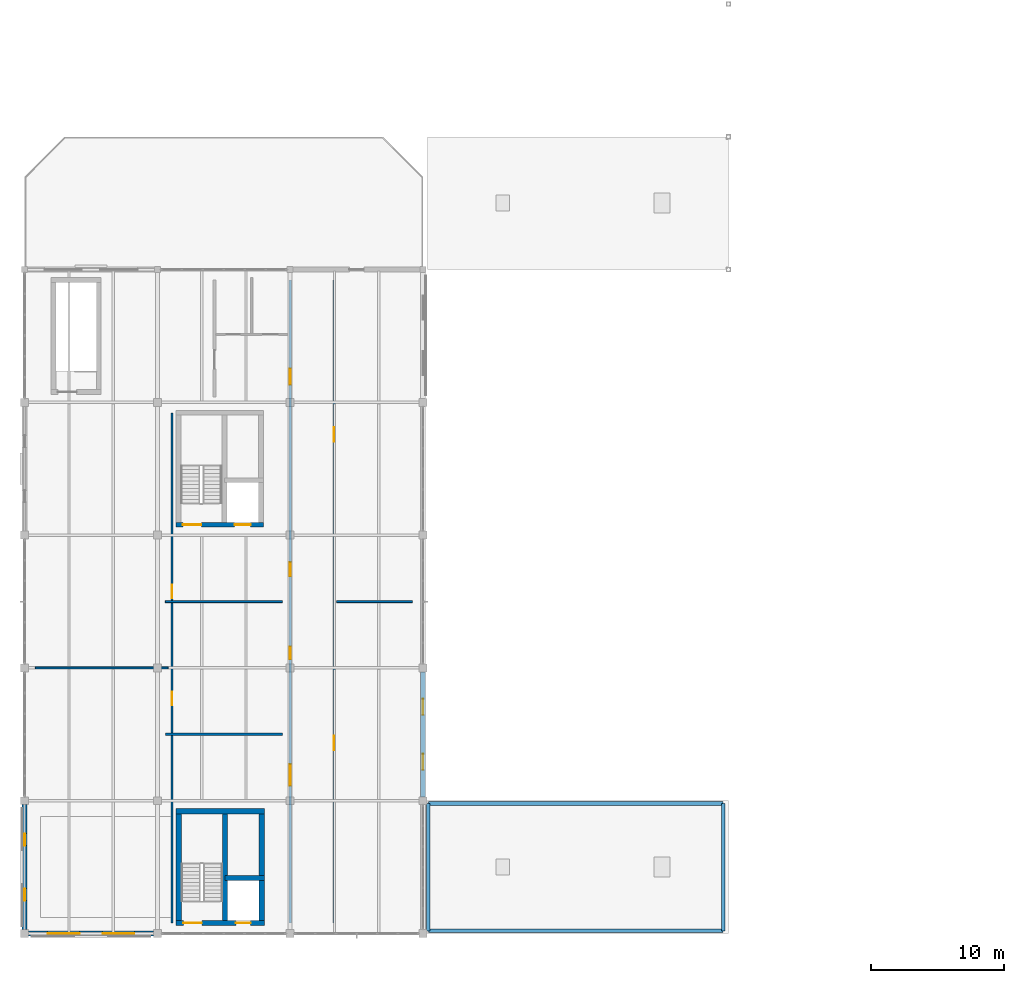
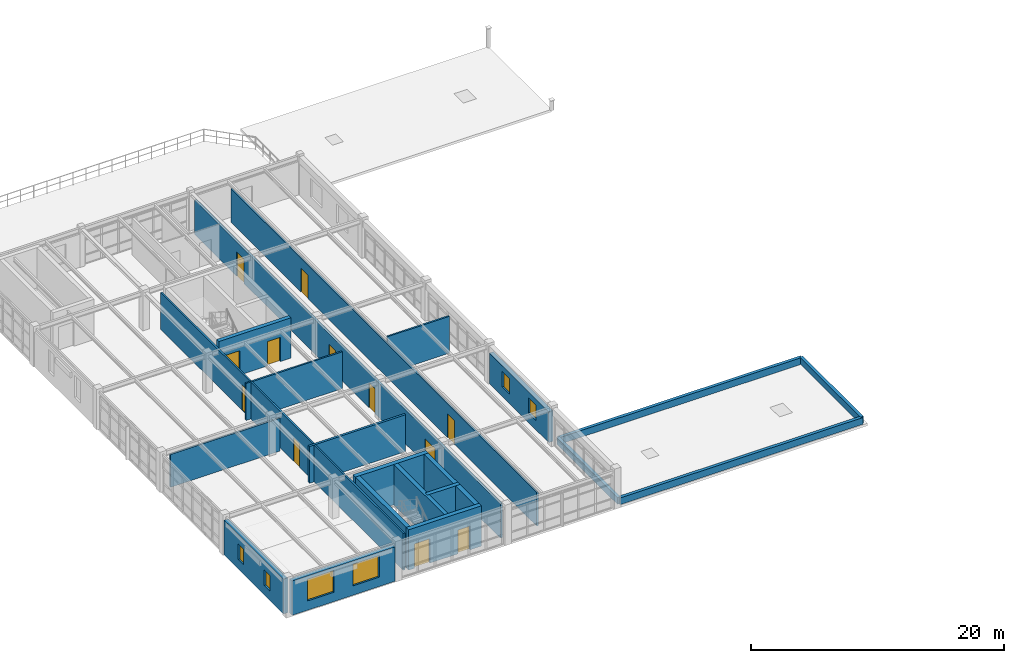
# One storey, part 19 of 23: 21 walls, 12 doors, 6 windows, 18 openings.
"""IFC4 building model written with IfcOpenShell, lengths in metres."""

from ifc_helpers import new_model, si_unit, direction, frame, frame_2d, origin, place, context, subcontext, project, spatial, rectangle, extrude, material, layer, layer_set, type_object, element, fill, save


model = new_model("IFC4")

# Units and contexts
model_context = context("Model", 3, precision=1e-05, world=origin(), true_north=direction((0.0, 1.0)))
body_context = subcontext(model_context, "Body", "Model", "MODEL_VIEW")
ifc_project = project(units=[si_unit("LENGTHUNIT", "METRE"), si_unit("AREAUNIT", "SQUARE_METRE"), si_unit("VOLUMEUNIT", "CUBIC_METRE"), si_unit("PLANEANGLEUNIT", "RADIAN"), si_unit("MASSUNIT", "GRAM", prefix="KILO"), si_unit("THERMODYNAMICTEMPERATUREUNIT", "KELVIN"), si_unit("POWERUNIT", "WATT")], contexts=[model_context])

# Site, building, storey
site_placement = place(None, origin())
site = spatial("IfcSite", under=ifc_project, at=site_placement, CompositionType="ELEMENT")
building_placement = place(site_placement, origin())
building = spatial("IfcBuilding", under=site, at=building_placement, Name="Korenveer Ferry Terminal", CompositionType="ELEMENT")
storey_placement = place(building_placement, frame((0.0, 0.0, 14.39990234375)))
storey = spatial("IfcBuildingStorey", under=building, at=storey_placement, Name="L03", CompositionType="ELEMENT", Elevation=14.39990234375)

# Wall, openings, windows
ifc_material_1 = material(Name="Insulated clinker brick masonry", Category="masonry")
ifc_layer_1 = layer(ifc_material_1, 0.3798828125)
ifc_layer_set_1 = layer_set([ifc_layer_1], Name="Insulated clinker brick masonry")
wall_type_1 = type_object("IfcWallType", Name="ENV-WL-BRK380", PredefinedType="SOLIDWALL", material=ifc_layer_set_1)
wall_1_placement = place(storey_placement, frame((0.300048828125, 20.0, 0.0), z_axis=(0.0, 0.0, 1.0), x_axis=(1.0, 0.0, 0.0)))
wall_1 = element("IfcWall", 1, at=wall_1_placement, inside=storey, type_object=wall_type_1, Name="Exterior facade wall EWL-L03-067", PredefinedType="SOLIDWALL", context=body_context, shape_type="SweptSolid", body=[
    extrude(rectangle(XDim=9.39990234375, YDim=0.3798828125, at=frame_2d((4.699951171875, 0.0))), origin(), (0.0, 0.0, 1.0), 3.320068359375),
])
opening_1_placement = place(wall_1_placement, frame((1.431884765625, 0.0, 0.89990234375)))
opening_1 = element("IfcOpeningElement", 2, at=opening_1_placement, cuts=wall_1, Name="Opening WN-31", PredefinedType="OPENING", context=body_context, shape_type="SweptSolid", body=[
    extrude(rectangle(XDim=2.39990234375, YDim=2.10009765625, at=frame_2d((1.199951171875, 1.050048828125))), frame((0.0, 0.199951171875, 0.0), z_axis=(0.0, -1.0, 0.0), x_axis=(1.0, 0.0, 0.0)), (0.0, 0.0, 1.0), 0.39990234375),
])
opening_2_placement = place(wall_1_placement, frame((5.568115234375, 0.0, 0.89990234375)))
opening_2 = element("IfcOpeningElement", 3, at=opening_2_placement, cuts=wall_1, Name="Opening WN-31", PredefinedType="OPENING", context=body_context, shape_type="SweptSolid", body=[
    extrude(rectangle(XDim=2.39990234375, YDim=2.10009765625, at=frame_2d((1.199951171875, 1.050048828125))), frame((0.0, 0.199951171875, 0.0), z_axis=(0.0, -1.0, 0.0), x_axis=(1.0, 0.0, 0.0)), (0.0, 0.0, 1.0), 0.39990234375),
])
ifc_material_2 = material(Name="Low-iron triple glazing in bronze frame", Category="glass")
window_type_1 = type_object("IfcWindowType", Name="ENV-WN-31", PartitioningType="SINGLE_PANEL", PredefinedType="WINDOW", material=ifc_material_2)
window_1_placement = place(opening_1_placement, origin())
window_1 = element("IfcWindow", 4, at=window_1_placement, inside=storey, type_object=window_type_1, Name="Lancet facade window 81", OverallHeight=2.10009765625, OverallWidth=2.39990234375, PartitioningType="SINGLE_PANEL", PredefinedType="WINDOW", context=body_context, shape_type="SweptSolid", body=[
    extrude(rectangle(XDim=2.39990234375, YDim=2.10009765625, at=frame_2d((1.199951171875, 1.050048828125))), frame((0.0, 0.030029296875, 0.0), z_axis=(0.0, -1.0, 0.0), x_axis=(1.0, 0.0, 0.0)), (0.0, 0.0, 1.0), 0.06005859375),
])
fill(opening_1, window_1)
window_2_placement = place(opening_2_placement, origin())
window_2 = element("IfcWindow", 5, at=window_2_placement, inside=storey, type_object=window_type_1, Name="Lancet facade window 82", OverallHeight=2.10009765625, OverallWidth=2.39990234375, PartitioningType="SINGLE_PANEL", PredefinedType="WINDOW", context=body_context, shape_type="SweptSolid", body=[
    extrude(rectangle(XDim=2.39990234375, YDim=2.10009765625, at=frame_2d((1.199951171875, 1.050048828125))), frame((0.0, 0.030029296875, 0.0), z_axis=(0.0, -1.0, 0.0), x_axis=(1.0, 0.0, 0.0)), (0.0, 0.0, 1.0), 0.06005859375),
])
fill(opening_2, window_2)

wall_2_placement = place(storey_placement, frame((0.0, 20.300048828125, 0.0), z_axis=(0.0, 0.0, 1.0), x_axis=(0.0, 1.0, 0.0)))
wall_2 = element("IfcWall", 6, at=wall_2_placement, inside=storey, type_object=wall_type_1, Name="Exterior facade wall EWL-L03-070", PredefinedType="SOLIDWALL", context=body_context, shape_type="SweptSolid", body=[
    extrude(rectangle(XDim=9.39990234375, YDim=0.3798828125, at=frame_2d((4.699951171875, 0.0))), origin(), (0.0, 0.0, 1.0), 3.3701171875),
])
opening_3_placement = place(wall_2_placement, frame((2.181884765625, 0.0, 0.89990234375)))
opening_3 = element("IfcOpeningElement", 7, at=opening_3_placement, cuts=wall_2, Name="Opening WN-01", PredefinedType="OPENING", context=body_context, shape_type="SweptSolid", body=[
    extrude(rectangle(XDim=0.89990234375, YDim=1.5, at=frame_2d((0.449951171875, 0.75))), frame((0.0, 0.199951171875, 0.0), z_axis=(0.0, -1.0, 0.0), x_axis=(1.0, 0.0, 0.0)), (0.0, 0.0, 1.0), 0.39990234375),
])
opening_4_placement = place(wall_2_placement, frame((6.318115234375, 0.0, 0.89990234375)))
opening_4 = element("IfcOpeningElement", 8, at=opening_4_placement, cuts=wall_2, Name="Opening WN-01", PredefinedType="OPENING", context=body_context, shape_type="SweptSolid", body=[
    extrude(rectangle(XDim=0.89990234375, YDim=1.5, at=frame_2d((0.449951171875, 0.75))), frame((0.0, 0.199951171875, 0.0), z_axis=(0.0, -1.0, 0.0), x_axis=(1.0, 0.0, 0.0)), (0.0, 0.0, 1.0), 0.39990234375),
])
window_type_2 = type_object("IfcWindowType", Name="ENV-WN-01", PartitioningType="SINGLE_PANEL", PredefinedType="WINDOW", material=ifc_material_2)
window_3_placement = place(opening_3_placement, origin())
window_3 = element("IfcWindow", 9, at=window_3_placement, inside=storey, type_object=window_type_2, Name="Lancet facade window 85", OverallHeight=1.5, OverallWidth=0.89990234375, PartitioningType="SINGLE_PANEL", PredefinedType="WINDOW", context=body_context, shape_type="SweptSolid", body=[
    extrude(rectangle(XDim=0.89990234375, YDim=1.5, at=frame_2d((0.449951171875, 0.75))), frame((0.0, 0.030029296875, 0.0), z_axis=(0.0, -1.0, 0.0), x_axis=(1.0, 0.0, 0.0)), (0.0, 0.0, 1.0), 0.06005859375),
])
fill(opening_3, window_3)
window_4_placement = place(opening_4_placement, origin())
window_4 = element("IfcWindow", 10, at=window_4_placement, inside=storey, type_object=window_type_2, Name="Lancet facade window 86", OverallHeight=1.5, OverallWidth=0.89990234375, PartitioningType="SINGLE_PANEL", PredefinedType="WINDOW", context=body_context, shape_type="SweptSolid", body=[
    extrude(rectangle(XDim=0.89990234375, YDim=1.5, at=frame_2d((0.449951171875, 0.75))), frame((0.0, 0.030029296875, 0.0), z_axis=(0.0, -1.0, 0.0), x_axis=(1.0, 0.0, 0.0)), (0.0, 0.0, 1.0), 0.06005859375),
])
fill(opening_4, window_4)

wall_3_placement = place(storey_placement, frame((30.0, 39.699951171875, 0.0), z_axis=(0.0, 0.0, 1.0), x_axis=(0.0, -1.0, 0.0)))
wall_3 = element("IfcWall", 11, at=wall_3_placement, inside=storey, type_object=wall_type_1, Name="Exterior facade wall EWL-L03-072", PredefinedType="SOLIDWALL", context=body_context, shape_type="SweptSolid", body=[
    extrude(rectangle(XDim=9.39990234375, YDim=0.3798828125, at=frame_2d((4.699951171875, 0.0))), origin(), (0.0, 0.0, 1.0), 2.97021484375),
])
opening_5_placement = place(wall_3_placement, frame((2.031982421875, 0.0, 0.89990234375)))
opening_5 = element("IfcOpeningElement", 12, at=opening_5_placement, cuts=wall_3, Name="Opening WN-05", PredefinedType="OPENING", context=body_context, shape_type="SweptSolid", body=[
    extrude(rectangle(XDim=1.199951171875, YDim=1.5, at=frame_2d((0.60009765625, 0.75))), frame((0.0, 0.199951171875, 0.0), z_axis=(0.0, -1.0, 0.0), x_axis=(1.0, 0.0, 0.0)), (0.0, 0.0, 1.0), 0.39990234375),
])
opening_6_placement = place(wall_3_placement, frame((6.16796875, 0.0, 0.89990234375)))
opening_6 = element("IfcOpeningElement", 13, at=opening_6_placement, cuts=wall_3, Name="Opening WN-05", PredefinedType="OPENING", context=body_context, shape_type="SweptSolid", body=[
    extrude(rectangle(XDim=1.199951171875, YDim=1.5, at=frame_2d((0.60009765625, 0.75))), frame((0.0, 0.199951171875, 0.0), z_axis=(0.0, -1.0, 0.0), x_axis=(1.0, 0.0, 0.0)), (0.0, 0.0, 1.0), 0.39990234375),
])
window_type_3 = type_object("IfcWindowType", Name="ENV-WN-05", PartitioningType="SINGLE_PANEL", PredefinedType="WINDOW", material=ifc_material_2)
window_5_placement = place(opening_5_placement, origin())
window_5 = element("IfcWindow", 14, at=window_5_placement, inside=storey, type_object=window_type_3, Name="Lancet facade window 89", OverallHeight=1.5, OverallWidth=1.199951171875, PartitioningType="SINGLE_PANEL", PredefinedType="WINDOW", context=body_context, shape_type="SweptSolid", body=[
    extrude(rectangle(XDim=1.199951171875, YDim=1.5, at=frame_2d((0.60009765625, 0.75))), frame((0.0, 0.030029296875, 0.0), z_axis=(0.0, -1.0, 0.0), x_axis=(1.0, 0.0, 0.0)), (0.0, 0.0, 1.0), 0.06005859375),
])
fill(opening_5, window_5)
window_6_placement = place(opening_6_placement, origin())
window_6 = element("IfcWindow", 15, at=window_6_placement, inside=storey, type_object=window_type_3, Name="Lancet facade window 90", OverallHeight=1.5, OverallWidth=1.199951171875, PartitioningType="SINGLE_PANEL", PredefinedType="WINDOW", context=body_context, shape_type="SweptSolid", body=[
    extrude(rectangle(XDim=1.199951171875, YDim=1.5, at=frame_2d((0.60009765625, 0.75))), frame((0.0, 0.030029296875, 0.0), z_axis=(0.0, -1.0, 0.0), x_axis=(1.0, 0.0, 0.0)), (0.0, 0.0, 1.0), 0.06005859375),
])
fill(opening_6, window_6)

# Walls
ifc_material_3 = material(Name="Precast concrete C40/50", Category="concrete")
ifc_layer_2 = layer(ifc_material_3, 0.280029296875)
ifc_layer_set_2 = layer_set([ifc_layer_2], Name="Precast concrete C40/50")
wall_type_2 = type_object("IfcWallType", Name="ENV-WL-PAR280", PredefinedType="PARAPET", material=ifc_layer_set_2)
wall_4_placement = place(storey_placement, frame((30.39990234375, 20.199951171875, 0.0), z_axis=(0.0, 0.0, 1.0), x_axis=(1.0, 0.0, 0.0)))
element("IfcWall", 16, at=wall_4_placement, inside=storey, type_object=wall_type_2, Name="Maintenance roof parapet 1", PredefinedType="PARAPET", context=body_context, shape_type="SweptSolid", body=[
    extrude(rectangle(XDim=22.2001953125, YDim=0.280029296875, at=frame_2d((11.10009765625, 0.0))), origin(), (0.0, 0.0, 1.0), 0.650146484375),
])
wall_5_placement = place(storey_placement, frame((52.60009765625, 20.199951171875, 0.0), z_axis=(0.0, 0.0, 1.0), x_axis=(0.0, 1.0, 0.0)))
element("IfcWall", 17, at=wall_5_placement, inside=storey, type_object=wall_type_2, Name="Maintenance roof parapet 2", PredefinedType="PARAPET", context=body_context, shape_type="SweptSolid", body=[
    extrude(rectangle(XDim=9.60009765625, YDim=0.280029296875, at=frame_2d((4.800048828125, 0.0))), origin(), (0.0, 0.0, 1.0), 0.650146484375),
])
wall_6_placement = place(storey_placement, frame((52.60009765625, 29.800048828125, 0.0), z_axis=(0.0, 0.0, 1.0), x_axis=(-1.0, 0.0, 0.0)))
element("IfcWall", 18, at=wall_6_placement, inside=storey, type_object=wall_type_2, Name="Maintenance roof parapet 3", PredefinedType="PARAPET", context=body_context, shape_type="SweptSolid", body=[
    extrude(rectangle(XDim=22.2001953125, YDim=0.280029296875, at=frame_2d((11.10009765625, 0.0))), origin(), (0.0, 0.0, 1.0), 0.650146484375),
])
wall_7_placement = place(storey_placement, frame((30.39990234375, 29.800048828125, 0.0), z_axis=(0.0, 0.0, 1.0), x_axis=(0.0, -1.0, 0.0)))
element("IfcWall", 19, at=wall_7_placement, inside=storey, type_object=wall_type_2, Name="Maintenance roof parapet 4", PredefinedType="PARAPET", context=body_context, shape_type="SweptSolid", body=[
    extrude(rectangle(XDim=9.60009765625, YDim=0.280029296875, at=frame_2d((4.800048828125, 0.0))), origin(), (0.0, 0.0, 1.0), 0.650146484375),
])

# Wall, openings, doors
ifc_material_4 = material(Name="Acoustic fire-rated twin-stud partition", Category="other")
ifc_layer_3 = layer(ifc_material_4, 0.199951171875)
ifc_layer_set_3 = layer_set([ifc_layer_3], Name="Acoustic fire-rated twin-stud partition")
wall_type_3 = type_object("IfcWallType", Name="INT-WL-COMP200", PredefinedType="PARTITIONING", material=ifc_layer_set_3)
wall_8_placement = place(storey_placement, frame((20.0, 20.800048828125, 0.0), z_axis=(0.0, 0.0, 1.0), x_axis=(0.0, 1.0, 0.0)))
wall_8 = element("IfcWall", 20, at=wall_8_placement, inside=storey, type_object=wall_type_3, Name="Interior partition PWL-L03-049", PredefinedType="PARTITIONING", context=body_context, shape_type="SweptSolid", body=[
    extrude(rectangle(XDim=48.39990234375, YDim=0.199951171875, at=frame_2d((24.199951171875, 0.0))), origin(), (0.0, 0.0, 1.0), 3.330078125),
])
opening_7_placement = place(wall_8_placement, frame((10.33203125, 0.0, 0.0)))
opening_7 = element("IfcOpeningElement", 21, at=opening_7_placement, cuts=wall_8, Name="Opening ID-061", PredefinedType="OPENING", context=body_context, shape_type="SweptSolid", body=[
    extrude(rectangle(XDim=1.60009765625, YDim=2.39990234375, at=frame_2d((0.800048828125, 1.199951171875))), frame((0.0, 0.10986328125, 0.0), z_axis=(0.0, -1.0, 0.0), x_axis=(1.0, 0.0, 0.0)), (0.0, 0.0, 1.0), 0.219970703125),
])
opening_8_placement = place(wall_8_placement, frame((19.85302734375, 0.0, 0.0)))
opening_8 = element("IfcOpeningElement", 22, at=opening_8_placement, cuts=wall_8, Name="Opening ID-062", PredefinedType="OPENING", context=body_context, shape_type="SweptSolid", body=[
    extrude(rectangle(XDim=0.949951171875, YDim=2.39990234375, at=frame_2d((0.47509765625, 1.199951171875))), frame((0.0, 0.10986328125, 0.0), z_axis=(0.0, -1.0, 0.0), x_axis=(1.0, 0.0, 0.0)), (0.0, 0.0, 1.0), 0.219970703125),
])
opening_9_placement = place(wall_8_placement, frame((26.094970703125, 0.0, 0.0)))
opening_9 = element("IfcOpeningElement", 23, at=opening_9_placement, cuts=wall_8, Name="Opening ID-063", PredefinedType="OPENING", context=body_context, shape_type="SweptSolid", body=[
    extrude(rectangle(XDim=1.050048828125, YDim=2.300048828125, at=frame_2d((0.52490234375, 1.14990234375))), frame((0.0, 0.10986328125, 0.0), z_axis=(0.0, -1.0, 0.0), x_axis=(1.0, 0.0, 0.0)), (0.0, 0.0, 1.0), 0.219970703125),
])
opening_10_placement = place(wall_8_placement, frame((40.5400390625, 0.0, 0.0)))
opening_10 = element("IfcOpeningElement", 24, at=opening_10_placement, cuts=wall_8, Name="Opening ID-064", PredefinedType="OPENING", context=body_context, shape_type="SweptSolid", body=[
    extrude(rectangle(XDim=1.199951171875, YDim=2.35009765625, at=frame_2d((0.60009765625, 1.175048828125))), frame((0.0, 0.10986328125, 0.0), z_axis=(0.0, -1.0, 0.0), x_axis=(1.0, 0.0, 0.0)), (0.0, 0.0, 1.0), 0.219970703125),
])
ifc_material_5 = material(Name="Solid hardwood and steel acoustic door", Category="steel")
door_type_1 = type_object("IfcDoorType", Name="INT-DR-FFL160", OperationType="DOUBLE_DOOR_SINGLE_SWING", PredefinedType="DOOR", material=ifc_material_5)
door_1_placement = place(opening_7_placement, origin())
door_1 = element("IfcDoor", 25, at=door_1_placement, inside=storey, type_object=door_type_1, Name="L03 West Firefighting Lobby Door", OperationType="DOUBLE_DOOR_SINGLE_SWING", OverallHeight=2.39990234375, OverallWidth=1.60009765625, PredefinedType="DOOR", context=body_context, shape_type="SweptSolid", body=[
    extrude(rectangle(XDim=1.60009765625, YDim=2.39990234375, at=frame_2d((0.800048828125, 1.199951171875))), frame((0.0, 0.02490234375, 0.0), z_axis=(0.0, -1.0, 0.0), x_axis=(1.0, 0.0, 0.0)), (0.0, 0.0, 1.0), 0.050048828125),
])
fill(opening_7, door_1)
door_type_2 = type_object("IfcDoorType", Name="INT-DR-RM095B", OperationType="NOTDEFINED", PredefinedType="DOOR", material=ifc_material_5)
door_2_placement = place(opening_8_placement, origin())
door_2 = element("IfcDoor", 26, at=door_2_placement, inside=storey, type_object=door_type_2, Name="Crew Duty Rest Room Door", OperationType="SINGLE_SWING_RIGHT", OverallHeight=2.39990234375, OverallWidth=0.949951171875, PredefinedType="DOOR", context=body_context, shape_type="SweptSolid", body=[
    extrude(rectangle(XDim=0.949951171875, YDim=2.39990234375, at=frame_2d((0.47509765625, 1.199951171875))), frame((0.0, 0.02490234375, 0.0), z_axis=(0.0, -1.0, 0.0), x_axis=(1.0, 0.0, 0.0)), (0.0, 0.0, 1.0), 0.050048828125),
])
fill(opening_8, door_2)
door_type_3 = type_object("IfcDoorType", Name="INT-DR-RM105A", OperationType="NOTDEFINED", PredefinedType="DOOR", material=ifc_material_5)
door_3_placement = place(opening_9_placement, origin())
door_3 = element("IfcDoor", 27, at=door_3_placement, inside=storey, type_object=door_type_3, Name="Crew Briefing Lounge Door", OperationType="SINGLE_SWING_LEFT", OverallHeight=2.300048828125, OverallWidth=1.050048828125, PredefinedType="DOOR", context=body_context, shape_type="SweptSolid", body=[
    extrude(rectangle(XDim=1.050048828125, YDim=2.300048828125, at=frame_2d((0.52490234375, 1.14990234375))), frame((0.0, 0.02490234375, 0.0), z_axis=(0.0, -1.0, 0.0), x_axis=(1.0, 0.0, 0.0)), (0.0, 0.0, 1.0), 0.050048828125),
])
fill(opening_9, door_3)
door_type_4 = type_object("IfcDoorType", Name="INT-DR-RM120A", OperationType="NOTDEFINED", PredefinedType="DOOR", material=ifc_material_5)
door_4_placement = place(opening_10_placement, origin())
door_4 = element("IfcDoor", 28, at=door_4_placement, inside=storey, type_object=door_type_4, Name="Port Equipment Store Door", OperationType="SINGLE_SWING_RIGHT", OverallHeight=2.35009765625, OverallWidth=1.199951171875, PredefinedType="DOOR", context=body_context, shape_type="SweptSolid", body=[
    extrude(rectangle(XDim=1.199951171875, YDim=2.35009765625, at=frame_2d((0.60009765625, 1.175048828125))), frame((0.0, 0.02490234375, 0.0), z_axis=(0.0, -1.0, 0.0), x_axis=(1.0, 0.0, 0.0)), (0.0, 0.0, 1.0), 0.050048828125),
])
fill(opening_10, door_4)

# Walls
wall_9_placement = place(storey_placement, frame((10.60009765625, 35.0, 0.0), z_axis=(0.0, 0.0, 1.0), x_axis=(1.0, 0.0, 0.0)))
element("IfcWall", 29, at=wall_9_placement, inside=storey, type_object=wall_type_3, Name="Interior partition PWL-L03-054", PredefinedType="PARTITIONING", context=body_context, shape_type="SweptSolid", body=[
    extrude(rectangle(XDim=8.7998046875, YDim=0.199951171875, at=frame_2d((4.39990234375, 0.0))), origin(), (0.0, 0.0, 1.0), 3.56005859375),
])
ifc_material_6 = material(Name="Concrete C45/55", Category="concrete")
ifc_layer_4 = layer(ifc_material_6, 0.360107421875)
ifc_layer_set_4 = layer_set([ifc_layer_4], Name="Concrete C45/55")
wall_type_4 = type_object("IfcWallType", Name="INT-WL-CORE360", PredefinedType="SHEAR", material=ifc_layer_set_4)
wall_10_placement = place(storey_placement, frame((15.080078125, 20.60009765625, 0.0), z_axis=(0.0, 0.0, 1.0), x_axis=(0.0, 1.0, 0.0)))
element("IfcWall", 30, at=wall_10_placement, inside=storey, type_object=wall_type_4, Name="West Firefighting Core K1 shaft divider wall L03", PredefinedType="SHEAR", context=body_context, shape_type="SweptSolid", body=[
    extrude(rectangle(XDim=8.7998046875, YDim=0.360107421875, at=frame_2d((4.39990234375, 0.0))), origin(), (0.0, 0.0, 1.0), 3.900146484375),
])
wall_11_placement = place(storey_placement, frame((15.080078125, 24.179931640625, 0.0), z_axis=(0.0, 0.0, 1.0), x_axis=(1.0, 0.0, 0.0)))
element("IfcWall", 31, at=wall_11_placement, inside=storey, type_object=wall_type_4, Name="West Firefighting Core K1 lift shaft wall L03", PredefinedType="SHEAR", context=body_context, shape_type="SweptSolid", body=[
    extrude(rectangle(XDim=2.97998046875, YDim=0.360107421875, at=frame_2d((1.489990234375, 0.0))), origin(), (0.0, 0.0, 1.0), 3.900146484375),
])

# Wall, openings, doors
wall_12_placement = place(storey_placement, frame((11.39990234375, 50.780029296875, 0.0), z_axis=(0.0, 0.0, 1.0), x_axis=(1.0, 0.0, 0.0)))
wall_12 = element("IfcWall", 32, at=wall_12_placement, inside=storey, type_object=wall_type_4, Name="West Operations Core K2 south shear wall L03", PredefinedType="SHEAR", context=body_context, shape_type="SweptSolid", body=[
    extrude(rectangle(XDim=6.580078125, YDim=0.360107421875, at=frame_2d((3.2900390625, 0.0))), origin(), (0.0, 0.0, 1.0), 3.900146484375),
])
opening_11_placement = place(wall_12_placement, frame((0.510009765625, 0.0, 0.0)))
opening_11 = element("IfcOpeningElement", 33, at=opening_11_placement, cuts=wall_12, Name="Opening SD-09", PredefinedType="OPENING", context=body_context, shape_type="SweptSolid", body=[
    extrude(rectangle(XDim=1.39990234375, YDim=2.35009765625, at=frame_2d((0.699951171875, 1.175048828125))), frame((0.0, 0.18994140625, 0.0), z_axis=(0.0, -1.0, 0.0), x_axis=(1.0, 0.0, 0.0)), (0.0, 0.0, 1.0), 0.380126953125),
])
opening_12_placement = place(wall_12_placement, frame((4.419921875, 0.0, 0.0)))
opening_12 = element("IfcOpeningElement", 34, at=opening_12_placement, cuts=wall_12, Name="Opening LD-09", PredefinedType="OPENING", context=body_context, shape_type="SweptSolid", body=[
    extrude(rectangle(XDim=1.199951171875, YDim=2.35009765625, at=frame_2d((0.60009765625, 1.175048828125))), frame((0.0, 0.18994140625, 0.0), z_axis=(0.0, -1.0, 0.0), x_axis=(1.0, 0.0, 0.0)), (0.0, 0.0, 1.0), 0.380126953125),
])
door_type_5 = type_object("IfcDoorType", Name="INT-DR-LD120", OperationType="SLIDING_TO_LEFT", PredefinedType="DOOR", material=ifc_material_5)
door_5_placement = place(opening_12_placement, origin())
door_5 = element("IfcDoor", 35, at=door_5_placement, inside=storey, type_object=door_type_5, Name="Lift LP1 Sliding Landing Door L03", OperationType="SLIDING_TO_LEFT", OverallHeight=2.35009765625, OverallWidth=1.199951171875, PredefinedType="DOOR", context=body_context, shape_type="SweptSolid", body=[
    extrude(rectangle(XDim=1.199951171875, YDim=2.35009765625, at=frame_2d((0.60009765625, 1.175048828125))), frame((0.0, 0.02490234375, 0.0), z_axis=(0.0, -1.0, 0.0), x_axis=(1.0, 0.0, 0.0)), (0.0, 0.0, 1.0), 0.050048828125),
])
fill(opening_12, door_5)
door_type_6 = type_object("IfcDoorType", Name="INT-DR-ST140", OperationType="NOTDEFINED", PredefinedType="DOOR", material=ifc_material_5)
door_6_placement = place(opening_11_placement, origin())
door_6 = element("IfcDoor", 36, at=door_6_placement, inside=storey, type_object=door_type_6, Name="ST02 Stair Door L03", OperationType="SINGLE_SWING_LEFT", OverallHeight=2.35009765625, OverallWidth=1.39990234375, PredefinedType="DOOR", context=body_context, shape_type="SweptSolid", body=[
    extrude(rectangle(XDim=1.39990234375, YDim=2.35009765625, at=frame_2d((0.699951171875, 1.175048828125))), frame((0.0, 0.02490234375, 0.0), z_axis=(0.0, -1.0, 0.0), x_axis=(1.0, 0.0, 0.0)), (0.0, 0.0, 1.0), 0.050048828125),
])
fill(opening_11, door_6)

ifc_layer_5 = layer(ifc_material_6, 0.39990234375)
ifc_layer_set_5 = layer_set([ifc_layer_5], Name="Concrete C45/55")
wall_type_5 = type_object("IfcWallType", Name="INT-WL-CORE400", PredefinedType="SHEAR", material=ifc_layer_set_5)
wall_13_placement = place(storey_placement, frame((11.39990234375, 20.800048828125, 0.0), z_axis=(0.0, 0.0, 1.0), x_axis=(1.0, 0.0, 0.0)))
wall_13 = element("IfcWall", 37, at=wall_13_placement, inside=storey, type_object=wall_type_5, Name="West Firefighting Core K1 south shear wall L03", PredefinedType="SHEAR", context=body_context, shape_type="SweptSolid", body=[
    extrude(rectangle(XDim=6.66015625, YDim=0.39990234375, at=frame_2d((3.330078125, 0.0))), origin(), (0.0, 0.0, 1.0), 3.900146484375),
])
opening_13_placement = place(wall_13_placement, frame((0.550048828125, 0.0, 0.0)))
opening_13 = element("IfcOpeningElement", 38, at=opening_13_placement, cuts=wall_13, Name="Opening SD-04", PredefinedType="OPENING", context=body_context, shape_type="SweptSolid", body=[
    extrude(rectangle(XDim=1.39990234375, YDim=2.35009765625, at=frame_2d((0.699951171875, 1.175048828125))), frame((0.0, 0.2099609375, 0.0), z_axis=(0.0, -1.0, 0.0), x_axis=(1.0, 0.0, 0.0)), (0.0, 0.0, 1.0), 0.419921875),
])
opening_14_placement = place(wall_13_placement, frame((4.510009765625, 0.0, 0.0)))
opening_14 = element("IfcOpeningElement", 39, at=opening_14_placement, cuts=wall_13, Name="Opening LD-04", PredefinedType="OPENING", context=body_context, shape_type="SweptSolid", body=[
    extrude(rectangle(XDim=1.10009765625, YDim=2.300048828125, at=frame_2d((0.550048828125, 1.14990234375))), frame((0.0, 0.2099609375, 0.0), z_axis=(0.0, -1.0, 0.0), x_axis=(1.0, 0.0, 0.0)), (0.0, 0.0, 1.0), 0.419921875),
])
door_type_7 = type_object("IfcDoorType", Name="INT-DR-LD110", OperationType="SLIDING_TO_LEFT", PredefinedType="DOOR", material=ifc_material_5)
door_7_placement = place(opening_14_placement, origin())
door_7 = element("IfcDoor", 40, at=door_7_placement, inside=storey, type_object=door_type_7, Name="Lift FL1 Sliding Landing Door L03", OperationType="SLIDING_TO_LEFT", OverallHeight=2.300048828125, OverallWidth=1.10009765625, PredefinedType="DOOR", context=body_context, shape_type="SweptSolid", body=[
    extrude(rectangle(XDim=1.10009765625, YDim=2.300048828125, at=frame_2d((0.550048828125, 1.14990234375))), frame((0.0, 0.02490234375, 0.0), z_axis=(0.0, -1.0, 0.0), x_axis=(1.0, 0.0, 0.0)), (0.0, 0.0, 1.0), 0.050048828125),
])
fill(opening_14, door_7)
door_8_placement = place(opening_13_placement, origin())
door_8 = element("IfcDoor", 41, at=door_8_placement, inside=storey, type_object=door_type_6, Name="ST01 Stair Door L03", OperationType="SINGLE_SWING_RIGHT", OverallHeight=2.35009765625, OverallWidth=1.39990234375, PredefinedType="DOOR", context=body_context, shape_type="SweptSolid", body=[
    extrude(rectangle(XDim=1.39990234375, YDim=2.35009765625, at=frame_2d((0.699951171875, 1.175048828125))), frame((0.0, 0.02490234375, 0.0), z_axis=(0.0, -1.0, 0.0), x_axis=(1.0, 0.0, 0.0)), (0.0, 0.0, 1.0), 0.050048828125),
])
fill(opening_13, door_8)

# Walls
wall_14_placement = place(storey_placement, frame((11.39990234375, 29.199951171875, 0.0), z_axis=(0.0, 0.0, 1.0), x_axis=(1.0, 0.0, 0.0)))
element("IfcWall", 42, at=wall_14_placement, inside=storey, type_object=wall_type_5, Name="West Firefighting Core K1 north shear wall L03", PredefinedType="SHEAR", context=body_context, shape_type="SweptSolid", body=[
    extrude(rectangle(XDim=6.66015625, YDim=0.39990234375, at=frame_2d((3.330078125, 0.0))), origin(), (0.0, 0.0, 1.0), 3.900146484375),
])
for number, where, z_axis, x_axis, name in (
    (43, (11.60009765625, 20.60009765625, 0.0), (0.0, 0.0, 1.0), (0.0, 1.0, 0.0), "West Firefighting Core K1 west shear wall L03"),
    (44, (17.860107421875, 20.60009765625, 0.0), (0.0, 0.0, 1.0), (0.0, 1.0, 0.0), "West Firefighting Core K1 east shear wall L03"),
):
    element("IfcWall", number, at=place(storey_placement, frame(where, z_axis=z_axis, x_axis=x_axis)), inside=storey, type_object=wall_type_5, Name=name, PredefinedType="SHEAR", context=body_context, shape_type="SweptSolid", body=[
        extrude(rectangle(XDim=8.7998046875, YDim=0.39990234375, at=frame_2d((4.39990234375, 0.0))), origin(), (0.0, 0.0, 1.0), 3.900146484375),
    ])

# Wall, openings, doors
ifc_material_7 = material(Name="Acoustic gypsum board stud partition", Category="other")
ifc_layer_6 = layer(ifc_material_7, 0.14990234375)
ifc_layer_set_6 = layer_set([ifc_layer_6], Name="Acoustic gypsum board stud partition")
wall_type_6 = type_object("IfcWallType", Name="INT-WL-PART150", PredefinedType="PARTITIONING", material=ifc_layer_set_6)
wall_15_placement = place(storey_placement, frame((23.300048828125, 20.800048828125, 0.0), z_axis=(0.0, 0.0, 1.0), x_axis=(0.0, 1.0, 0.0)))
wall_15 = element("IfcWall", 45, at=wall_15_placement, inside=storey, type_object=wall_type_6, Name="Interior partition PWL-L03-050", PredefinedType="PARTITIONING", context=body_context, shape_type="SweptSolid", body=[
    extrude(rectangle(XDim=48.39990234375, YDim=0.14990234375, at=frame_2d((24.199951171875, 0.0))), origin(), (0.0, 0.0, 1.0), 3.260009765625),
])
opening_15_placement = place(wall_15_placement, frame((13.001953125, 0.0, 0.0)))
opening_15 = element("IfcOpeningElement", 46, at=opening_15_placement, cuts=wall_15, Name="Opening ID-065", PredefinedType="OPENING", context=body_context, shape_type="SweptSolid", body=[
    extrude(rectangle(XDim=1.10009765625, YDim=2.300048828125, at=frame_2d((0.550048828125, 1.14990234375))), frame((0.0, 0.0849609375, 0.0), z_axis=(0.0, -1.0, 0.0), x_axis=(1.0, 0.0, 0.0)), (0.0, 0.0, 1.0), 0.169921875),
])
opening_16_placement = place(wall_15_placement, frame((36.23388671875, 0.0, 0.0)))
opening_16 = element("IfcOpeningElement", 47, at=opening_16_placement, cuts=wall_15, Name="Opening ID-066", PredefinedType="OPENING", context=body_context, shape_type="SweptSolid", body=[
    extrude(rectangle(XDim=1.10009765625, YDim=2.300048828125, at=frame_2d((0.550048828125, 1.14990234375))), frame((0.0, 0.0849609375, 0.0), z_axis=(0.0, -1.0, 0.0), x_axis=(1.0, 0.0, 0.0)), (0.0, 0.0, 1.0), 0.169921875),
])
door_type_8 = type_object("IfcDoorType", Name="INT-DR-RM110A", OperationType="NOTDEFINED", PredefinedType="DOOR", material=ifc_material_5)
door_9_placement = place(opening_15_placement, origin())
door_9 = element("IfcDoor", 48, at=door_9_placement, inside=storey, type_object=door_type_8, Name="Port Hydrographic Planning Suite Door", OperationType="SINGLE_SWING_LEFT", OverallHeight=2.300048828125, OverallWidth=1.10009765625, PredefinedType="DOOR", context=body_context, shape_type="SweptSolid", body=[
    extrude(rectangle(XDim=1.10009765625, YDim=2.300048828125, at=frame_2d((0.550048828125, 1.14990234375))), frame((0.0, 0.02490234375, 0.0), z_axis=(0.0, -1.0, 0.0), x_axis=(1.0, 0.0, 0.0)), (0.0, 0.0, 1.0), 0.050048828125),
])
fill(opening_15, door_9)
door_10_placement = place(opening_16_placement, origin())
door_10 = element("IfcDoor", 49, at=door_10_placement, inside=storey, type_object=door_type_8, Name="Maritime Pilotage Briefing Office Door", OperationType="SINGLE_SWING_RIGHT", OverallHeight=2.300048828125, OverallWidth=1.10009765625, PredefinedType="DOOR", context=body_context, shape_type="SweptSolid", body=[
    extrude(rectangle(XDim=1.10009765625, YDim=2.300048828125, at=frame_2d((0.550048828125, 1.14990234375))), frame((0.0, 0.02490234375, 0.0), z_axis=(0.0, -1.0, 0.0), x_axis=(1.0, 0.0, 0.0)), (0.0, 0.0, 1.0), 0.050048828125),
])
fill(opening_16, door_10)

# Wall
wall_16_placement = place(storey_placement, frame((23.5, 45.0, 0.0), z_axis=(0.0, 0.0, 1.0), x_axis=(1.0, 0.0, 0.0)))
element("IfcWall", 50, at=wall_16_placement, inside=storey, type_object=wall_type_6, Name="Interior partition PWL-L03-051", PredefinedType="PARTITIONING", context=body_context, shape_type="SweptSolid", body=[
    extrude(rectangle(XDim=5.699951171875, YDim=0.14990234375, at=frame_2d((2.85009765625, 0.0))), origin(), (0.0, 0.0, 1.0), 3.56005859375),
])

# Wall, openings, doors
wall_17_placement = place(storey_placement, frame((11.10009765625, 20.800048828125, 0.0), z_axis=(0.0, 0.0, 1.0), x_axis=(0.0, 1.0, 0.0)))
wall_17 = element("IfcWall", 51, at=wall_17_placement, inside=storey, type_object=wall_type_6, Name="Interior partition PWL-L03-052", PredefinedType="PARTITIONING", context=body_context, shape_type="SweptSolid", body=[
    extrude(rectangle(XDim=38.39990234375, YDim=0.14990234375, at=frame_2d((19.199951171875, 0.0))), origin(), (0.0, 0.0, 1.0), 3.56005859375),
])
opening_17_placement = place(wall_17_placement, frame((16.39599609375, 0.0, 0.0)))
opening_17 = element("IfcOpeningElement", 52, at=opening_17_placement, cuts=wall_17, Name="Opening ID-067", PredefinedType="OPENING", context=body_context, shape_type="SweptSolid", body=[
    extrude(rectangle(XDim=1.0, YDim=2.300048828125, at=frame_2d((0.5, 1.14990234375))), frame((0.0, 0.0849609375, 0.0), z_axis=(0.0, -1.0, 0.0), x_axis=(1.0, 0.0, 0.0)), (0.0, 0.0, 1.0), 0.169921875),
])
opening_18_placement = place(wall_17_placement, frame((24.43505859375, 0.0, 0.0)))
opening_18 = element("IfcOpeningElement", 53, at=opening_18_placement, cuts=wall_17, Name="Opening ID-068", PredefinedType="OPENING", context=body_context, shape_type="SweptSolid", body=[
    extrude(rectangle(XDim=1.050048828125, YDim=2.449951171875, at=frame_2d((0.52490234375, 1.22509765625))), frame((0.0, 0.0849609375, 0.0), z_axis=(0.0, -1.0, 0.0), x_axis=(1.0, 0.0, 0.0)), (0.0, 0.0, 1.0), 0.169921875),
])
door_type_9 = type_object("IfcDoorType", Name="INT-DR-RM100A", OperationType="NOTDEFINED", PredefinedType="DOOR", material=ifc_material_5)
door_11_placement = place(opening_17_placement, origin())
door_11 = element("IfcDoor", 54, at=door_11_placement, inside=storey, type_object=door_type_9, Name="L03 Maritime Operations Office Door", OperationType="SINGLE_SWING_LEFT", OverallHeight=2.300048828125, OverallWidth=1.0, PredefinedType="DOOR", context=body_context, shape_type="SweptSolid", body=[
    extrude(rectangle(XDim=1.0, YDim=2.300048828125, at=frame_2d((0.5, 1.14990234375))), frame((0.0, 0.02490234375, 0.0), z_axis=(0.0, -1.0, 0.0), x_axis=(1.0, 0.0, 0.0)), (0.0, 0.0, 1.0), 0.050048828125),
])
fill(opening_17, door_11)
door_type_10 = type_object("IfcDoorType", Name="INT-DR-RM105BU", OperationType="NOTDEFINED", PredefinedType="DOOR", material=ifc_material_5)
door_12_placement = place(opening_18_placement, origin())
door_12 = element("IfcDoor", 55, at=door_12_placement, inside=storey, type_object=door_type_10, Name="Vessel Schedule Dispatch Door", OperationType="SINGLE_SWING_RIGHT", OverallHeight=2.449951171875, OverallWidth=1.050048828125, PredefinedType="DOOR", context=body_context, shape_type="SweptSolid", body=[
    extrude(rectangle(XDim=1.050048828125, YDim=2.449951171875, at=frame_2d((0.52490234375, 1.22509765625))), frame((0.0, 0.02490234375, 0.0), z_axis=(0.0, -1.0, 0.0), x_axis=(1.0, 0.0, 0.0)), (0.0, 0.0, 1.0), 0.050048828125),
])
fill(opening_18, door_12)

# Walls
wall_18_placement = place(storey_placement, frame((0.800048828125, 40.0, 0.0), z_axis=(0.0, 0.0, 1.0), x_axis=(1.0, 0.0, 0.0)))
element("IfcWall", 56, at=wall_18_placement, inside=storey, type_object=wall_type_6, Name="Interior partition PWL-L03-053", PredefinedType="PARTITIONING", context=body_context, shape_type="SweptSolid", body=[
    extrude(rectangle(XDim=10.0, YDim=0.14990234375, at=frame_2d((5.0, 0.0))), origin(), (0.0, 0.0, 1.0), 3.170166015625),
])
wall_19_placement = place(storey_placement, frame((10.60009765625, 45.0, 0.0), z_axis=(0.0, 0.0, 1.0), x_axis=(1.0, 0.0, 0.0)))
element("IfcWall", 57, at=wall_19_placement, inside=storey, type_object=wall_type_6, Name="Interior partition PWL-L03-055", PredefinedType="PARTITIONING", context=body_context, shape_type="SweptSolid", body=[
    extrude(rectangle(XDim=8.7998046875, YDim=0.14990234375, at=frame_2d((4.39990234375, 0.0))), origin(), (0.0, 0.0, 1.0), 3.56005859375),
])

save(model, "model.ifc")
